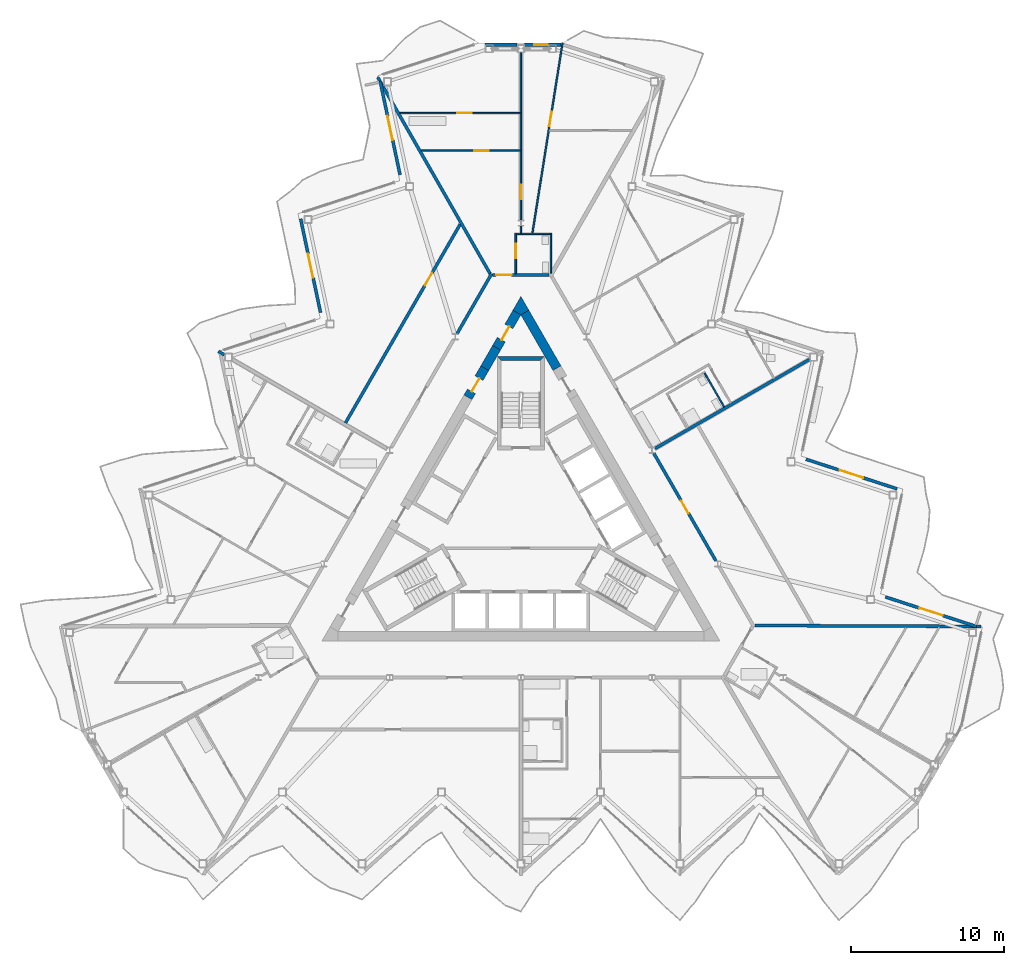
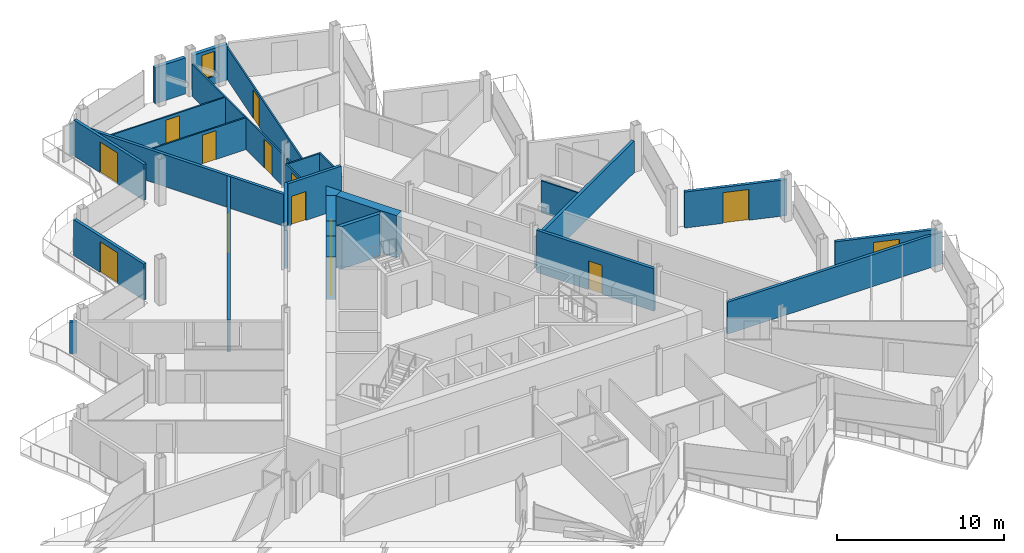
# One storey, part 16 of 26: 29 walls, 14 doors, 1 window, 15 openings.
"""IFC4 building model written with IfcOpenShell, lengths in metres."""

from ifc_helpers import new_model, si_unit, direction, frame, frame_2d, origin, place, context, subcontext, project, spatial, polyline, rectangle, outline, extrude, material, layer, layer_set, type_object, element, fill, save


model = new_model("IFC4")

# Units and contexts
model_context = context("Model", 3, precision=1e-05, world=origin(), true_north=direction((0.0, 1.0)))
body_context = subcontext(model_context, "Body", "Model", "MODEL_VIEW")
ifc_project = project(units=[si_unit("LENGTHUNIT", "METRE"), si_unit("AREAUNIT", "SQUARE_METRE"), si_unit("VOLUMEUNIT", "CUBIC_METRE"), si_unit("PLANEANGLEUNIT", "RADIAN"), si_unit("MASSUNIT", "GRAM", prefix="KILO")], contexts=[model_context])

# Site, building, storey
site_placement = place(None, origin())
site = spatial("IfcSite", under=ifc_project, at=site_placement, CompositionType="ELEMENT")
building_placement = place(site_placement, origin())
building = spatial("IfcBuilding", under=site, at=building_placement, Name="Cormorant Prow Tower", CompositionType="ELEMENT")
storey_placement = place(building_placement, frame((0.0, 0.0, 364.39990234375)))
storey = spatial("IfcBuildingStorey", under=building, at=storey_placement, Name="L81", CompositionType="ELEMENT", Elevation=364.39990234375)

# Walls
ifc_material_1 = material(Name="Concrete 8000 psi", Category="concrete")
ifc_layer_1 = layer(ifc_material_1, 0.60009765625)
ifc_layer_set_1 = layer_set([ifc_layer_1], Name="Concrete 8000 psi")
wall_type_1 = type_object("IfcWallType", Name="Core shear wall 600", PredefinedType="SHEAR", material=ifc_layer_set_1)
wall_1_placement = place(storey_placement, frame((2.36083984375, 10.322021484375, 0.0), z_axis=(0.0, 0.0, 1.0), x_axis=(-0.500000735859, 0.866024978935, 0.0)))
element("IfcWall", 1, at=wall_1_placement, inside=storey, type_object=wall_type_1, Name="Core wall", PredefinedType="SHEAR", context=body_context, shape_type="SweptSolid", body=[
    extrude(rectangle(XDim=4.2021484375, YDim=0.60009765625, at=frame_2d((2.10107421875, 0.0))), origin(), (0.0, 0.0, 1.0), 3.10009765625),
])
wall_2_placement = place(storey_placement, frame((-1.589599609375, 11.65771484375, 0.0), z_axis=(0.0, 0.0, 1.0), x_axis=(-0.500037594623, -0.866003697431, 0.0)))
element("IfcWall", 2, at=wall_2_placement, inside=storey, type_object=wall_type_1, Name="Core wall", PredefinedType="SHEAR", context=body_context, shape_type="SweptSolid", body=[
    extrude(rectangle(XDim=1.54248046875, YDim=0.60009765625, at=frame_2d((0.771240234375, 0.0))), origin(), (0.0, 0.0, 1.0), 3.10009765625),
])
wall_3_placement = place(storey_placement, origin())
element("IfcWall", 3, at=wall_3_placement, inside=storey, type_object=wall_type_1, Name="Core wall corner", PredefinedType="SHEAR", context=body_context, shape_type="SweptSolid", body=[
    extrude(outline(polyline([(0.0, 13.81103515625), (-0.51953125, 14.111083984375), (0.0, 15.010986328125), (0.51953125, 14.111083984375), (0.0, 13.81103515625)])), origin(), (0.0, 0.0, 1.0), 3.10009765625),
])

# Wall, opening, door
wall_4_placement = place(storey_placement, frame((-2.36083984375, 10.322021484375, 0.0), z_axis=(0.0, 0.0, 1.0), x_axis=(-0.499946605688, -0.86605622881, 0.0)))
wall_4 = element("IfcWall", 4, at=wall_4_placement, inside=storey, type_object=wall_type_1, Name="Core wall door panel", PredefinedType="SHEAR", context=body_context, shape_type="SweptSolid", body=[
    extrude(rectangle(XDim=2.199951171875, YDim=0.60009765625, at=frame_2d((1.10009765625, 0.0))), origin(), (0.0, 0.0, 1.0), 3.10009765625),
])
opening_1_placement = place(wall_4_placement, frame((0.75, 0.0, 0.0)))
opening_1 = element("IfcOpeningElement", 5, at=opening_1_placement, cuts=wall_4, Name="Opening L81-C18", PredefinedType="OPENING", context=body_context, shape_type="SweptSolid", body=[
    extrude(rectangle(XDim=1.0, YDim=2.10009765625, at=frame_2d((0.5, 1.050048828125))), frame((0.0, 0.31005859375, 0.0), z_axis=(0.0, -1.0, 0.0), x_axis=(1.0, 0.0, 0.0)), (0.0, 0.0, 1.0), 0.6201171875),
])
ifc_material_2 = material(Name="Painted steel", Category="steel")
door_type_1 = type_object("IfcDoorType", Name="Service door 1000x2100", OperationType="NOTDEFINED", PredefinedType="DOOR", material=ifc_material_2)
door_1_placement = place(opening_1_placement, origin())
door_1 = element("IfcDoor", 6, at=door_1_placement, inside=storey, type_object=door_type_1, Name="Core door, Mechanical riser room", OperationType="SINGLE_SWING_LEFT", OverallHeight=2.10009765625, OverallWidth=1.0, PredefinedType="DOOR", context=body_context, shape_type="SweptSolid", body=[
    extrude(rectangle(XDim=1.0, YDim=2.10009765625, at=frame_2d((0.5, 1.050048828125))), frame((0.0, 0.05517578125, 0.0), z_axis=(0.0, -1.0, 0.0), x_axis=(1.0, 0.0, 0.0)), (0.0, 0.0, 1.0), 0.050048828125),
])
fill(opening_1, door_1)

wall_5_placement = place(storey_placement, frame((-0.259765625, 13.961181640625, 0.0), z_axis=(0.0, 0.0, 1.0), x_axis=(-0.49997936161, -0.866037319036, 0.0)))
wall_5 = element("IfcWall", 7, at=wall_5_placement, inside=storey, type_object=wall_type_1, Name="Core wall door panel", PredefinedType="SHEAR", context=body_context, shape_type="SweptSolid", body=[
    extrude(rectangle(XDim=2.65966796875, YDim=0.60009765625, at=frame_2d((1.329833984375, 0.0))), origin(), (0.0, 0.0, 1.0), 3.10009765625),
])
opening_2_placement = place(wall_5_placement, frame((1.050048828125, 0.0, 0.0)))
opening_2 = element("IfcOpeningElement", 8, at=opening_2_placement, cuts=wall_5, Name="Opening L81-C19", PredefinedType="OPENING", context=body_context, shape_type="SweptSolid", body=[
    extrude(rectangle(XDim=1.0, YDim=2.10009765625, at=frame_2d((0.5, 1.050048828125))), frame((0.0, 0.31005859375, 0.0), z_axis=(0.0, -1.0, 0.0), x_axis=(1.0, 0.0, 0.0)), (0.0, 0.0, 1.0), 0.6201171875),
])
door_2_placement = place(opening_2_placement, origin())
door_2 = element("IfcDoor", 9, at=door_2_placement, inside=storey, type_object=door_type_1, Name="Core door, Mechanical riser room", OperationType="SINGLE_SWING_LEFT", OverallHeight=2.10009765625, OverallWidth=1.0, PredefinedType="DOOR", context=body_context, shape_type="SweptSolid", body=[
    extrude(rectangle(XDim=1.0, YDim=2.10009765625, at=frame_2d((0.5, 1.050048828125))), frame((0.0, 0.05517578125, 0.0), z_axis=(0.0, -1.0, 0.0), x_axis=(1.0, 0.0, 0.0)), (0.0, 0.0, 1.0), 0.050048828125),
])
fill(opening_2, door_2)

ifc_material_3 = material(Name="Gypsum board corridor wall")
ifc_layer_2 = layer(ifc_material_3, 0.199951171875)
ifc_layer_set_2 = layer_set([ifc_layer_2], Name="Gypsum board corridor wall")
wall_type_2 = type_object("IfcWallType", Name="Corridor wall 200", PredefinedType="PARTITIONING", material=ifc_layer_set_2)
wall_6_placement = place(storey_placement, frame((8.692138671875, 4.755859375, 0.0), z_axis=(0.0, 0.0, 1.0), x_axis=(0.500001682468, -0.866024432409, 0.0)))
wall_6 = element("IfcWall", 10, at=wall_6_placement, inside=storey, type_object=wall_type_2, Name="Corridor wall", PredefinedType="PARTITIONING", context=body_context, shape_type="SweptSolid", body=[
    extrude(rectangle(XDim=8.12353515625, YDim=0.199951171875, at=frame_2d((4.061767578125, 0.0))), origin(), (0.0, 0.0, 1.0), 3.10009765625),
])
opening_3_placement = place(wall_6_placement, frame((3.586669921875, 0.0, 0.0)))
opening_3 = element("IfcOpeningElement", 11, at=opening_3_placement, cuts=wall_6, Name="Opening L81-F18", PredefinedType="OPENING", context=body_context, shape_type="SweptSolid", body=[
    extrude(rectangle(XDim=0.949951171875, YDim=2.10009765625, at=frame_2d((0.47509765625, 1.050048828125))), frame((0.0, 0.10986328125, 0.0), z_axis=(0.0, -1.0, 0.0), x_axis=(1.0, 0.0, 0.0)), (0.0, 0.0, 1.0), 0.219970703125),
])
ifc_material_4 = material(Name="Timber door leaf", Category="wood")
door_type_2 = type_object("IfcDoorType", Name="Store door 950x2100", OperationType="NOTDEFINED", PredefinedType="DOOR", material=ifc_material_4)
door_3_placement = place(opening_3_placement, origin())
door_3 = element("IfcDoor", 12, at=door_3_placement, inside=storey, type_object=door_type_2, Name="Bicycle store door", OperationType="SINGLE_SWING_RIGHT", OverallHeight=2.10009765625, OverallWidth=0.949951171875, PredefinedType="DOOR", context=body_context, shape_type="SweptSolid", body=[
    extrude(rectangle(XDim=0.949951171875, YDim=2.10009765625, at=frame_2d((0.47509765625, 1.050048828125))), frame((0.0, 0.02490234375, 0.0), z_axis=(0.0, -1.0, 0.0), x_axis=(1.0, 0.0, 0.0)), (0.0, 0.0, 1.0), 0.050048828125),
])
fill(opening_3, door_3)

# Wall
wall_7_placement = place(storey_placement, frame((-4.175537109375, 12.578857421875, 0.0), z_axis=(0.0, 0.0, 1.0), x_axis=(0.499974648164, 0.866040040179, 0.0)))
element("IfcWall", 13, at=wall_7_placement, inside=storey, type_object=wall_type_2, Name="Corridor wall", PredefinedType="PARTITIONING", context=body_context, shape_type="SweptSolid", body=[
    extrude(rectangle(XDim=4.525146484375, YDim=0.199951171875, at=frame_2d((2.2626953125, 0.0))), origin(), (0.0, 0.0, 1.0), 3.10009765625),
])

# Wall, opening, door
wall_8_placement = place(storey_placement, frame((-1.863037109375, 16.4111328125, 0.0), z_axis=(0.0, 0.0, 1.0), x_axis=(1.0, 0.0, 0.0)))
wall_8 = element("IfcWall", 14, at=wall_8_placement, inside=storey, type_object=wall_type_2, Name="Corridor wall", PredefinedType="PARTITIONING", context=body_context, shape_type="SweptSolid", body=[
    extrude(rectangle(XDim=3.700927734375, YDim=0.199951171875, at=frame_2d((1.8505859375, 0.0))), origin(), (0.0, 0.0, 1.0), 3.10009765625),
])
opening_4_placement = place(wall_8_placement, frame((0.25, 0.0, 0.0)))
opening_4 = element("IfcOpeningElement", 15, at=opening_4_placement, cuts=wall_8, Name="Opening L81-F28", PredefinedType="OPENING", context=body_context, shape_type="SweptSolid", body=[
    extrude(rectangle(XDim=1.0, YDim=2.10009765625, at=frame_2d((0.5, 1.050048828125))), frame((0.0, 0.10986328125, 0.0), z_axis=(0.0, -1.0, 0.0), x_axis=(1.0, 0.0, 0.0)), (0.0, 0.0, 1.0), 0.219970703125),
])
ifc_material_5 = material(Name="Timber door leaf", Category="wood")
door_type_3 = type_object("IfcDoorType", Name="Flat or room entrance door 1000x2100", OperationType="NOTDEFINED", PredefinedType="DOOR", material=ifc_material_5)
door_4_placement = place(opening_4_placement, origin())
door_4 = element("IfcDoor", 16, at=door_4_placement, inside=storey, type_object=door_type_3, Name="Living room door", OperationType="SINGLE_SWING_RIGHT", OverallHeight=2.10009765625, OverallWidth=1.0, PredefinedType="DOOR", context=body_context, shape_type="SweptSolid", body=[
    extrude(rectangle(XDim=1.0, YDim=2.10009765625, at=frame_2d((0.5, 1.050048828125))), frame((0.0, 0.02490234375, 0.0), z_axis=(0.0, -1.0, 0.0), x_axis=(1.0, 0.0, 0.0)), (0.0, 0.0, 1.0), 0.050048828125),
])
fill(opening_4, door_4)

ifc_material_6 = material(Name="Gypsum board demising wall")
ifc_layer_3 = layer(ifc_material_6, 0.199951171875)
ifc_layer_set_3 = layer_set([ifc_layer_3], Name="Gypsum board demising wall")
wall_type_3 = type_object("IfcWallType", Name="Demising wall 200", PredefinedType="PARTITIONING", material=ifc_layer_set_3)
wall_9_placement = place(storey_placement, frame((-11.472900390625, 6.739501953125, 0.0), z_axis=(0.0, 0.0, 1.0), x_axis=(0.499993542657, 0.866029131901, 0.0)))
wall_9 = element("IfcWall", 17, at=wall_9_placement, inside=storey, type_object=wall_type_3, Name="Demising wall", PredefinedType="PARTITIONING", context=body_context, shape_type="SweptSolid", body=[
    extrude(rectangle(XDim=14.993896484375, YDim=0.199951171875, at=frame_2d((7.4970703125, 0.0))), origin(), (0.0, 0.0, 1.0), 2.330078125),
])
opening_5_placement = place(wall_9_placement, frame((10.3828125, 0.0, 0.0)))
opening_5 = element("IfcOpeningElement", 18, at=opening_5_placement, cuts=wall_9, Name="Opening L81-F36", PredefinedType="OPENING", context=body_context, shape_type="SweptSolid", body=[
    extrude(rectangle(XDim=0.949951171875, YDim=2.10009765625, at=frame_2d((0.47509765625, 1.050048828125))), frame((0.0, 0.10986328125, 0.0), z_axis=(0.0, -1.0, 0.0), x_axis=(1.0, 0.0, 0.0)), (0.0, 0.0, 1.0), 0.219970703125),
])
door_5_placement = place(opening_5_placement, origin())
door_5 = element("IfcDoor", 19, at=door_5_placement, inside=storey, type_object=door_type_2, Name="Bicycle store door", OperationType="SINGLE_SWING_LEFT", OverallHeight=2.10009765625, OverallWidth=0.949951171875, PredefinedType="DOOR", context=body_context, shape_type="SweptSolid", body=[
    extrude(rectangle(XDim=0.949951171875, YDim=2.10009765625, at=frame_2d((0.47509765625, 1.050048828125))), frame((0.0, 0.02490234375, 0.0), z_axis=(0.0, -1.0, 0.0), x_axis=(1.0, 0.0, 0.0)), (0.0, 0.0, 1.0), 0.050048828125),
])
fill(opening_5, door_5)

# Walls
for number, where, z_axis, x_axis, name in (
    (20, (15.2939453125, -6.505859375, 0.0), (0.0, 0.0, 1.0), (0.99999116141, -0.004204414611, 0.0), "Demising wall"),
    (21, (-9.3623046875, 29.352294921875, 0.0), (0.0, 0.0, 1.0), (0.496351997927, -0.868121359116, 0.0), "Demising wall"),
):
    element("IfcWall", number, at=place(storey_placement, frame(where, z_axis=z_axis, x_axis=x_axis)), inside=storey, type_object=wall_type_3, Name=name, PredefinedType="PARTITIONING", context=body_context, shape_type="SweptSolid", body=[
        extrude(rectangle(XDim=14.807373046875, YDim=0.199951171875, at=frame_2d((7.40380859375, 0.0))), origin(), (0.0, 0.0, 1.0), 2.330078125),
    ])
wall_10_placement = place(storey_placement, frame((8.775390625, 5.06640625, 0.0), z_axis=(0.0, 0.0, 1.0), x_axis=(0.866023724155, 0.500002909193, 0.0)))
element("IfcWall", 22, at=wall_10_placement, inside=storey, type_object=wall_type_3, Name="Demising wall", PredefinedType="PARTITIONING", context=body_context, shape_type="SweptSolid", body=[
    extrude(rectangle(XDim=11.65478515625, YDim=0.199951171875, at=frame_2d((5.827392578125, 0.0))), origin(), (0.0, 0.0, 1.0), 2.330078125),
])
wall_11_placement = place(storey_placement, frame((-19.779541015625, 11.419677734375, 0.0), z_axis=(0.0, 0.0, 1.0), x_axis=(0.866104518135, -0.499862944882, 0.0)))
element("IfcWall", 23, at=wall_11_placement, inside=storey, type_object=wall_type_3, Name="Demising wall", PredefinedType="PARTITIONING", context=body_context, shape_type="SweptSolid", body=[
    extrude(rectangle(XDim=0.451416015625, YDim=0.199951171875, at=frame_2d((0.2255859375, 0.0))), origin(), (0.0, 0.0, 1.0), 2.330078125),
])

# Wall, opening, door
ifc_material_7 = material(Name="Gypsum board partition")
ifc_layer_4 = layer(ifc_material_7, 0.10009765625)
ifc_layer_set_4 = layer_set([ifc_layer_4], Name="Gypsum board partition")
wall_type_4 = type_object("IfcWallType", Name="Internal partition 100", PredefinedType="PARTITIONING", material=ifc_layer_set_4)
wall_12_placement = place(storey_placement, frame((0.755126953125, 19.160400390625, 0.0), z_axis=(0.0, 0.0, 1.0), x_axis=(0.15643456532, 0.987688324712, 0.0)))
wall_12 = element("IfcWall", 24, at=wall_12_placement, inside=storey, type_object=wall_type_4, Name="Internal partition", PredefinedType="PARTITIONING", context=body_context, shape_type="SweptSolid", body=[
    extrude(rectangle(XDim=12.58984375, YDim=0.10009765625, at=frame_2d((6.294921875, 0.0))), origin(), (0.0, 0.0, 1.0), 2.330078125),
])
opening_6_placement = place(wall_12_placement, frame((7.074462890625, 0.0, 0.0)))
opening_6 = element("IfcOpeningElement", 25, at=opening_6_placement, cuts=wall_12, Name="Opening L81-F33", PredefinedType="OPENING", context=body_context, shape_type="SweptSolid", body=[
    extrude(rectangle(XDim=0.949951171875, YDim=2.10009765625, at=frame_2d((0.47509765625, 1.050048828125))), frame((0.0, 0.06005859375, 0.0), z_axis=(0.0, -1.0, 0.0), x_axis=(1.0, 0.0, 0.0)), (0.0, 0.0, 1.0), 0.1201171875),
])
ifc_material_8 = material(Name="Timber door leaf", Category="wood")
door_type_4 = type_object("IfcDoorType", Name="Bathroom door 950x2100", OperationType="NOTDEFINED", PredefinedType="DOOR", material=ifc_material_8)
door_6_placement = place(opening_6_placement, origin())
door_6 = element("IfcDoor", 26, at=door_6_placement, inside=storey, type_object=door_type_4, Name="Bedroom door", OperationType="SINGLE_SWING_LEFT", OverallHeight=2.10009765625, OverallWidth=0.949951171875, PredefinedType="DOOR", context=body_context, shape_type="SweptSolid", body=[
    extrude(rectangle(XDim=0.949951171875, YDim=2.10009765625, at=frame_2d((0.47509765625, 1.050048828125))), frame((0.0, 0.02490234375, 0.0), z_axis=(0.0, -1.0, 0.0), x_axis=(1.0, 0.0, 0.0)), (0.0, 0.0, 1.0), 0.050048828125),
])
fill(opening_6, door_6)

wall_13_placement = place(storey_placement, frame((0.0, 20.008056640625, 0.0), z_axis=(0.0, 0.0, 1.0), x_axis=(0.0, 1.0, 0.0)))
wall_13 = element("IfcWall", 27, at=wall_13_placement, inside=storey, type_object=wall_type_4, Name="Internal partition", PredefinedType="PARTITIONING", context=body_context, shape_type="SweptSolid", body=[
    extrude(rectangle(XDim=10.951416015625, YDim=0.10009765625, at=frame_2d((5.4755859375, 0.0))), origin(), (0.0, 0.0, 1.0), 2.330078125),
])
opening_7_placement = place(wall_13_placement, frame((1.35009765625, 0.0, 0.0)))
opening_7 = element("IfcOpeningElement", 28, at=opening_7_placement, cuts=wall_13, Name="Opening L81-F32", PredefinedType="OPENING", context=body_context, shape_type="SweptSolid", body=[
    extrude(rectangle(XDim=0.949951171875, YDim=2.10009765625, at=frame_2d((0.47509765625, 1.050048828125))), frame((0.0, 0.06005859375, 0.0), z_axis=(0.0, -1.0, 0.0), x_axis=(1.0, 0.0, 0.0)), (0.0, 0.0, 1.0), 0.1201171875),
])
door_7_placement = place(opening_7_placement, origin())
door_7 = element("IfcDoor", 29, at=door_7_placement, inside=storey, type_object=door_type_4, Name="Living room door", OperationType="SINGLE_SWING_RIGHT", OverallHeight=2.10009765625, OverallWidth=0.949951171875, PredefinedType="DOOR", context=body_context, shape_type="SweptSolid", body=[
    extrude(rectangle(XDim=0.949951171875, YDim=2.10009765625, at=frame_2d((0.47509765625, 1.050048828125))), frame((0.0, 0.02490234375, 0.0), z_axis=(0.0, -1.0, 0.0), x_axis=(1.0, 0.0, 0.0)), (0.0, 0.0, 1.0), 0.050048828125),
])
fill(opening_7, door_7)

wall_14_placement = place(storey_placement, frame((-7.92236328125, 27.008544921875, 0.0), z_axis=(0.0, 0.0, 1.0), x_axis=(1.0, 0.0, 0.0)))
wall_14 = element("IfcWall", 30, at=wall_14_placement, inside=storey, type_object=wall_type_4, Name="Internal partition", PredefinedType="PARTITIONING", context=body_context, shape_type="SweptSolid", body=[
    extrude(rectangle(XDim=7.872314453125, YDim=0.10009765625, at=frame_2d((3.93603515625, 0.0))), origin(), (0.0, 0.0, 1.0), 2.330078125),
])
opening_8_placement = place(wall_14_placement, frame((3.76220703125, 0.0, 0.0)))
opening_8 = element("IfcOpeningElement", 31, at=opening_8_placement, cuts=wall_14, Name="Opening L81-F31", PredefinedType="OPENING", context=body_context, shape_type="SweptSolid", body=[
    extrude(rectangle(XDim=0.949951171875, YDim=2.10009765625, at=frame_2d((0.47509765625, 1.050048828125))), frame((0.0, 0.06005859375, 0.0), z_axis=(0.0, -1.0, 0.0), x_axis=(1.0, 0.0, 0.0)), (0.0, 0.0, 1.0), 0.1201171875),
])
door_8_placement = place(opening_8_placement, origin())
door_8 = element("IfcDoor", 32, at=door_8_placement, inside=storey, type_object=door_type_4, Name="Kitchen door", OperationType="SINGLE_SWING_RIGHT", OverallHeight=2.10009765625, OverallWidth=0.949951171875, PredefinedType="DOOR", context=body_context, shape_type="SweptSolid", body=[
    extrude(rectangle(XDim=0.949951171875, YDim=2.10009765625, at=frame_2d((0.47509765625, 1.050048828125))), frame((0.0, 0.02490234375, 0.0), z_axis=(0.0, -1.0, 0.0), x_axis=(1.0, 0.0, 0.0)), (0.0, 0.0, 1.0), 0.050048828125),
])
fill(opening_8, door_8)

wall_15_placement = place(storey_placement, frame((-6.51611328125, 24.54931640625, 0.0), z_axis=(0.0, 0.0, 1.0), x_axis=(1.0, 0.0, 0.0)))
wall_15 = element("IfcWall", 33, at=wall_15_placement, inside=storey, type_object=wall_type_4, Name="Internal partition", PredefinedType="PARTITIONING", context=body_context, shape_type="SweptSolid", body=[
    extrude(rectangle(XDim=6.466064453125, YDim=0.10009765625, at=frame_2d((3.23291015625, 0.0))), origin(), (0.0, 0.0, 1.0), 2.330078125),
])
opening_9_placement = place(wall_15_placement, frame((3.46044921875, 0.0, 0.0)))
opening_9 = element("IfcOpeningElement", 34, at=opening_9_placement, cuts=wall_15, Name="Opening L81-F30", PredefinedType="OPENING", context=body_context, shape_type="SweptSolid", body=[
    extrude(rectangle(XDim=0.949951171875, YDim=2.10009765625, at=frame_2d((0.47509765625, 1.050048828125))), frame((0.0, 0.06005859375, 0.0), z_axis=(0.0, -1.0, 0.0), x_axis=(1.0, 0.0, 0.0)), (0.0, 0.0, 1.0), 0.1201171875),
])
door_9_placement = place(opening_9_placement, origin())
door_9 = element("IfcDoor", 35, at=door_9_placement, inside=storey, type_object=door_type_4, Name="Living room door", OperationType="SINGLE_SWING_RIGHT", OverallHeight=2.10009765625, OverallWidth=0.949951171875, PredefinedType="DOOR", context=body_context, shape_type="SweptSolid", body=[
    extrude(rectangle(XDim=0.949951171875, YDim=2.10009765625, at=frame_2d((0.47509765625, 1.050048828125))), frame((0.0, 0.02490234375, 0.0), z_axis=(0.0, -1.0, 0.0), x_axis=(1.0, 0.0, 0.0)), (0.0, 0.0, 1.0), 0.050048828125),
])
fill(opening_9, door_9)

wall_16_placement = place(storey_placement, frame((-0.3369140625, 16.510986328125, 0.0), z_axis=(0.0, 0.0, 1.0), x_axis=(0.0, 1.0, 0.0)))
wall_16 = element("IfcWall", 36, at=wall_16_placement, inside=storey, type_object=wall_type_4, Name="Internal partition", PredefinedType="PARTITIONING", context=body_context, shape_type="SweptSolid", body=[
    extrude(rectangle(XDim=2.650146484375, YDim=0.10009765625, at=frame_2d((1.3251953125, 0.0))), origin(), (0.0, 0.0, 1.0), 2.330078125),
])
opening_10_placement = place(wall_16_placement, frame((1.013671875, 0.0, 0.0)))
opening_10 = element("IfcOpeningElement", 37, at=opening_10_placement, cuts=wall_16, Name="Opening L81-F29", PredefinedType="OPENING", context=body_context, shape_type="SweptSolid", body=[
    extrude(rectangle(XDim=0.949951171875, YDim=2.10009765625, at=frame_2d((0.47509765625, 1.050048828125))), frame((0.0, 0.06005859375, 0.0), z_axis=(0.0, -1.0, 0.0), x_axis=(1.0, 0.0, 0.0)), (0.0, 0.0, 1.0), 0.1201171875),
])
door_10_placement = place(opening_10_placement, origin())
door_10 = element("IfcDoor", 38, at=door_10_placement, inside=storey, type_object=door_type_4, Name="Living room door", OperationType="SINGLE_SWING_RIGHT", OverallHeight=2.10009765625, OverallWidth=0.949951171875, PredefinedType="DOOR", context=body_context, shape_type="SweptSolid", body=[
    extrude(rectangle(XDim=0.949951171875, YDim=2.10009765625, at=frame_2d((0.47509765625, 1.050048828125))), frame((0.0, 0.02490234375, 0.0), z_axis=(0.0, -1.0, 0.0), x_axis=(1.0, 0.0, 0.0)), (0.0, 0.0, 1.0), 0.050048828125),
])
fill(opening_10, door_10)

# Walls
wall_17_placement = place(storey_placement, frame((1.962890625, 16.5361328125, 0.0), z_axis=(0.0, 0.0, 1.0), x_axis=(0.0, 1.0, 0.0)))
element("IfcWall", 39, at=wall_17_placement, inside=storey, type_object=wall_type_4, Name="Internal partition", PredefinedType="PARTITIONING", context=body_context, shape_type="SweptSolid", body=[
    extrude(rectangle(XDim=2.625, YDim=0.10009765625, at=frame_2d((1.3125, 0.0))), origin(), (0.0, 0.0, 1.0), 2.330078125),
])
wall_18_placement = place(storey_placement, frame((12.0166015625, 9.997802734375, 0.0), z_axis=(0.0, 0.0, 1.0), x_axis=(0.499948979701, -0.866054858364, 0.0)))
element("IfcWall", 40, at=wall_18_placement, inside=storey, type_object=wall_type_4, Name="Internal partition", PredefinedType="PARTITIONING", context=body_context, shape_type="SweptSolid", body=[
    extrude(rectangle(XDim=2.550048828125, YDim=0.10009765625, at=frame_2d((1.27490234375, 0.0))), origin(), (0.0, 0.0, 1.0), 2.330078125),
])
wall_19_placement = place(storey_placement, frame((-0.287109375, 19.111083984375, 0.0), z_axis=(0.0, 0.0, 1.0), x_axis=(1.0, 0.0, 0.0)))
element("IfcWall", 41, at=wall_19_placement, inside=storey, type_object=wall_type_4, Name="Internal partition", PredefinedType="PARTITIONING", context=body_context, shape_type="SweptSolid", body=[
    extrude(rectangle(XDim=2.2001953125, YDim=0.10009765625, at=frame_2d((1.10009765625, 0.0))), origin(), (0.0, 0.0, 1.0), 2.330078125),
])
wall_20_placement = place(storey_placement, frame((0.0, 19.1611328125, 0.0), z_axis=(0.0, 0.0, 1.0), x_axis=(0.0, 1.0, 0.0)))
element("IfcWall", 42, at=wall_20_placement, inside=storey, type_object=wall_type_4, Name="Internal partition", PredefinedType="PARTITIONING", context=body_context, shape_type="SweptSolid", body=[
    extrude(rectangle(XDim=0.452880859375, YDim=0.10009765625, at=frame_2d((0.2265625, 0.0))), origin(), (0.0, 0.0, 1.0), 2.330078125),
])
ifc_material_9 = material(Name="Concrete 8000 psi", Category="concrete")
ifc_layer_5 = layer(ifc_material_9, 0.25)
ifc_layer_set_5 = layer_set([ifc_layer_5], Name="Concrete 8000 psi")
wall_type_5 = type_object("IfcWallType", Name="Stair wall 250", PredefinedType="SHEAR", material=ifc_layer_set_5)
wall_21_placement = place(storey_placement, origin())
element("IfcWall", 43, at=wall_21_placement, inside=storey, type_object=wall_type_5, Name="Stair ST3 enclosure wall (end)", PredefinedType="SHEAR", context=body_context, shape_type="SweptSolid", body=[
    extrude(outline(polyline([(1.5439453125, 11.0869140625), (-1.5439453125, 11.0869140625), (-1.2939453125, 10.8369140625), (1.2939453125, 10.8369140625), (1.5439453125, 11.0869140625)])), origin(), (0.0, 0.0, 1.0), 3.10009765625),
])

# Wall, opening, window
ifc_material_10 = material(Name="Terracotta", Category="masonry")
ifc_layer_6 = layer(ifc_material_10, 0.25)
ifc_layer_set_6 = layer_set([ifc_layer_6], Name="Terracotta")
wall_type_6 = type_object("IfcWallType", Name="Terracotta bay wall 250", PredefinedType="SOLIDWALL", material=ifc_layer_set_6)
wall_22_placement = place(storey_placement, frame((2.638427734375, 31.47021484375, 0.0), z_axis=(0.0, 0.0, 1.0), x_axis=(-1.0, 0.0, 0.0)))
wall_22 = element("IfcWall", 44, at=wall_22_placement, inside=storey, type_object=wall_type_6, Name="Terracotta bay wall N00", PredefinedType="SOLIDWALL", context=body_context, shape_type="SweptSolid", body=[
    extrude(rectangle(XDim=2.388427734375, YDim=0.25, at=frame_2d((1.1943359375, 0.0))), origin(), (0.0, 0.0, 1.0), 2.634033203125),
])
opening_11_placement = place(wall_22_placement, frame((0.879638671875, 0.0, 0.60009765625)))
opening_11 = element("IfcOpeningElement", 45, at=opening_11_placement, cuts=wall_22, Name="Opening WN9", PredefinedType="OPENING", context=body_context, shape_type="SweptSolid", body=[
    extrude(rectangle(XDim=0.89990234375, YDim=1.800048828125, at=frame_2d((0.449951171875, 0.89990234375))), frame((0.0, 0.135009765625, 0.0), z_axis=(0.0, -1.0, 0.0), x_axis=(1.0, 0.0, 0.0)), (0.0, 0.0, 1.0), 0.27001953125),
])
ifc_material_11 = material(Name="Aluminium 6063-T6", Category="aluminium")
window_type = type_object("IfcWindowType", Name="Corner bay window 900x1800", PartitioningType="SINGLE_PANEL", PredefinedType="WINDOW", material=ifc_material_11)
window_placement = place(opening_11_placement, origin())
window = element("IfcWindow", 46, at=window_placement, inside=storey, type_object=window_type, Name="Corner bay window N00", OverallHeight=1.800048828125, OverallWidth=0.89990234375, PartitioningType="SINGLE_PANEL", PredefinedType="WINDOW", context=body_context, shape_type="SweptSolid", body=[
    extrude(rectangle(XDim=0.89990234375, YDim=1.800048828125, at=frame_2d((0.449951171875, 0.89990234375))), frame((0.0, 0.030029296875, 0.0), z_axis=(0.0, -1.0, 0.0), x_axis=(1.0, 0.0, 0.0)), (0.0, 0.0, 1.0), 0.06005859375),
])
fill(opening_11, window)

# Wall
wall_23_placement = place(storey_placement, frame((-0.25, 31.47021484375, 0.0), z_axis=(0.0, 0.0, 1.0), x_axis=(-1.0, 0.0, 0.0)))
element("IfcWall", 47, at=wall_23_placement, inside=storey, type_object=wall_type_6, Name="Terracotta bay wall N01", PredefinedType="SOLIDWALL", context=body_context, shape_type="SweptSolid", body=[
    extrude(rectangle(XDim=2.108642578125, YDim=0.25, at=frame_2d((1.05419921875, 0.0))), origin(), (0.0, 0.0, 1.0), 2.634033203125),
])

# Wall, opening, door
ifc_material_12 = material(Name="Terracotta", Category="masonry")
ifc_layer_7 = layer(ifc_material_12, 0.199951171875)
ifc_layer_set_7 = layer_set([ifc_layer_7], Name="Terracotta")
wall_type_7 = type_object("IfcWallType", Name="Terracotta jamb wall 200", PredefinedType="SOLIDWALL", material=ifc_layer_set_7)
wall_24_placement = place(storey_placement, frame((29.800537109375, -6.57568359375, 0.0), z_axis=(0.0, 0.0, 1.0), x_axis=(-0.951060123915, 0.309005891041, 0.0)))
wall_24 = element("IfcWall", 48, at=wall_24_placement, inside=storey, type_object=wall_type_7, Name="Terracotta jamb wall ENE01", PredefinedType="SOLIDWALL", context=body_context, shape_type="SweptSolid", body=[
    extrude(rectangle(XDim=6.265380859375, YDim=0.199951171875, at=frame_2d((3.1328125, 0.0))), origin(), (0.0, 0.0, 1.0), 2.634033203125),
])
opening_12_placement = place(wall_24_placement, frame((2.332763671875, 0.0, 0.0)))
opening_12 = element("IfcOpeningElement", 49, at=opening_12_placement, cuts=wall_24, Name="Opening ED81.06", PredefinedType="OPENING", context=body_context, shape_type="SweptSolid", body=[
    extrude(rectangle(XDim=1.60009765625, YDim=2.25, at=frame_2d((0.800048828125, 1.125))), frame((0.0, 0.10986328125, 0.0), z_axis=(0.0, -1.0, 0.0), x_axis=(1.0, 0.0, 0.0)), (0.0, 0.0, 1.0), 0.219970703125),
])
ifc_material_13 = material(Name="Aluminium 6063-T6", Category="aluminium")
door_type_5 = type_object("IfcDoorType", Name="Balcony door 1600x2250", OperationType="DOUBLE_DOOR_SINGLE_SWING", PredefinedType="DOOR", material=ifc_material_13)
door_11_placement = place(opening_12_placement, origin())
door_11 = element("IfcDoor", 50, at=door_11_placement, inside=storey, type_object=door_type_5, Name="Balcony door ENE01 ED81.06", OperationType="DOUBLE_DOOR_SINGLE_SWING", OverallHeight=2.25, OverallWidth=1.60009765625, PredefinedType="DOOR", context=body_context, shape_type="SweptSolid", body=[
    extrude(rectangle(XDim=1.60009765625, YDim=2.25, at=frame_2d((0.800048828125, 1.125))), frame((0.0, 0.02490234375, 0.0), z_axis=(0.0, -1.0, 0.0), x_axis=(1.0, 0.0, 0.0)), (0.0, 0.0, 1.0), 0.050048828125),
])
fill(opening_12, door_11)

wall_25_placement = place(storey_placement, frame((24.6005859375, 2.43115234375, 0.0), z_axis=(0.0, 0.0, 1.0), x_axis=(-0.951060123915, 0.309005891041, 0.0)))
wall_25 = element("IfcWall", 51, at=wall_25_placement, inside=storey, type_object=wall_type_7, Name="Terracotta jamb wall ENE03", PredefinedType="SOLIDWALL", context=body_context, shape_type="SweptSolid", body=[
    extrude(rectangle(XDim=6.265380859375, YDim=0.199951171875, at=frame_2d((3.1328125, 0.0))), origin(), (0.0, 0.0, 1.0), 2.634033203125),
])
opening_13_placement = place(wall_25_placement, frame((2.332763671875, 0.0, 0.0)))
opening_13 = element("IfcOpeningElement", 52, at=opening_13_placement, cuts=wall_25, Name="Opening ED81.07", PredefinedType="OPENING", context=body_context, shape_type="SweptSolid", body=[
    extrude(rectangle(XDim=1.60009765625, YDim=2.25, at=frame_2d((0.800048828125, 1.125))), frame((0.0, 0.10986328125, 0.0), z_axis=(0.0, -1.0, 0.0), x_axis=(1.0, 0.0, 0.0)), (0.0, 0.0, 1.0), 0.219970703125),
])
door_12_placement = place(opening_13_placement, origin())
door_12 = element("IfcDoor", 53, at=door_12_placement, inside=storey, type_object=door_type_5, Name="Balcony door ENE03 ED81.07", OperationType="DOUBLE_DOOR_SINGLE_SWING", OverallHeight=2.25, OverallWidth=1.60009765625, PredefinedType="DOOR", context=body_context, shape_type="SweptSolid", body=[
    extrude(rectangle(XDim=1.60009765625, YDim=2.25, at=frame_2d((0.800048828125, 1.125))), frame((0.0, 0.02490234375, 0.0), z_axis=(0.0, -1.0, 0.0), x_axis=(1.0, 0.0, 0.0)), (0.0, 0.0, 1.0), 0.050048828125),
])
fill(opening_13, door_12)

wall_26_placement = place(storey_placement, frame((-9.20556640625, 29.095947265625, 0.0), z_axis=(0.0, 0.0, 1.0), x_axis=(0.207889514624, -0.978152314167, 0.0)))
wall_26 = element("IfcWall", 54, at=wall_26_placement, inside=storey, type_object=wall_type_7, Name="Terracotta jamb wall WNW01", PredefinedType="SOLIDWALL", context=body_context, shape_type="SweptSolid", body=[
    extrude(rectangle(XDim=6.265380859375, YDim=0.199951171875, at=frame_2d((3.1328125, 0.0))), origin(), (0.0, 0.0, 1.0), 2.634033203125),
])
opening_14_placement = place(wall_26_placement, frame((2.332763671875, 0.0, 0.0)))
opening_14 = element("IfcOpeningElement", 55, at=opening_14_placement, cuts=wall_26, Name="Opening ED81.11", PredefinedType="OPENING", context=body_context, shape_type="SweptSolid", body=[
    extrude(rectangle(XDim=1.60009765625, YDim=2.25, at=frame_2d((0.800048828125, 1.125))), frame((0.0, 0.10986328125, 0.0), z_axis=(0.0, -1.0, 0.0), x_axis=(1.0, 0.0, 0.0)), (0.0, 0.0, 1.0), 0.219970703125),
])
door_13_placement = place(opening_14_placement, origin())
door_13 = element("IfcDoor", 56, at=door_13_placement, inside=storey, type_object=door_type_5, Name="Balcony door WNW01 ED81.11", OperationType="DOUBLE_DOOR_SINGLE_SWING", OverallHeight=2.25, OverallWidth=1.60009765625, PredefinedType="DOOR", context=body_context, shape_type="SweptSolid", body=[
    extrude(rectangle(XDim=1.60009765625, YDim=2.25, at=frame_2d((0.800048828125, 1.125))), frame((0.0, 0.02490234375, 0.0), z_axis=(0.0, -1.0, 0.0), x_axis=(1.0, 0.0, 0.0)), (0.0, 0.0, 1.0), 0.050048828125),
])
fill(opening_14, door_13)

wall_27_placement = place(storey_placement, frame((-14.405517578125, 20.089111328125, 0.0), z_axis=(0.0, 0.0, 1.0), x_axis=(0.207889514624, -0.978152314167, 0.0)))
wall_27 = element("IfcWall", 57, at=wall_27_placement, inside=storey, type_object=wall_type_7, Name="Terracotta jamb wall WNW03", PredefinedType="SOLIDWALL", context=body_context, shape_type="SweptSolid", body=[
    extrude(rectangle(XDim=6.265380859375, YDim=0.199951171875, at=frame_2d((3.1328125, 0.0))), origin(), (0.0, 0.0, 1.0), 2.634033203125),
])
opening_15_placement = place(wall_27_placement, frame((2.332763671875, 0.0, 0.0)))
opening_15 = element("IfcOpeningElement", 58, at=opening_15_placement, cuts=wall_27, Name="Opening ED81.12", PredefinedType="OPENING", context=body_context, shape_type="SweptSolid", body=[
    extrude(rectangle(XDim=1.60009765625, YDim=2.25, at=frame_2d((0.800048828125, 1.125))), frame((0.0, 0.10986328125, 0.0), z_axis=(0.0, -1.0, 0.0), x_axis=(1.0, 0.0, 0.0)), (0.0, 0.0, 1.0), 0.219970703125),
])
door_14_placement = place(opening_15_placement, origin())
door_14 = element("IfcDoor", 59, at=door_14_placement, inside=storey, type_object=door_type_5, Name="Balcony door WNW03 ED81.12", OperationType="DOUBLE_DOOR_SINGLE_SWING", OverallHeight=2.25, OverallWidth=1.60009765625, PredefinedType="DOOR", context=body_context, shape_type="SweptSolid", body=[
    extrude(rectangle(XDim=1.60009765625, YDim=2.25, at=frame_2d((0.800048828125, 1.125))), frame((0.0, 0.02490234375, 0.0), z_axis=(0.0, -1.0, 0.0), x_axis=(1.0, 0.0, 0.0)), (0.0, 0.0, 1.0), 0.050048828125),
])
fill(opening_15, door_14)

save(model, "model.ifc")
